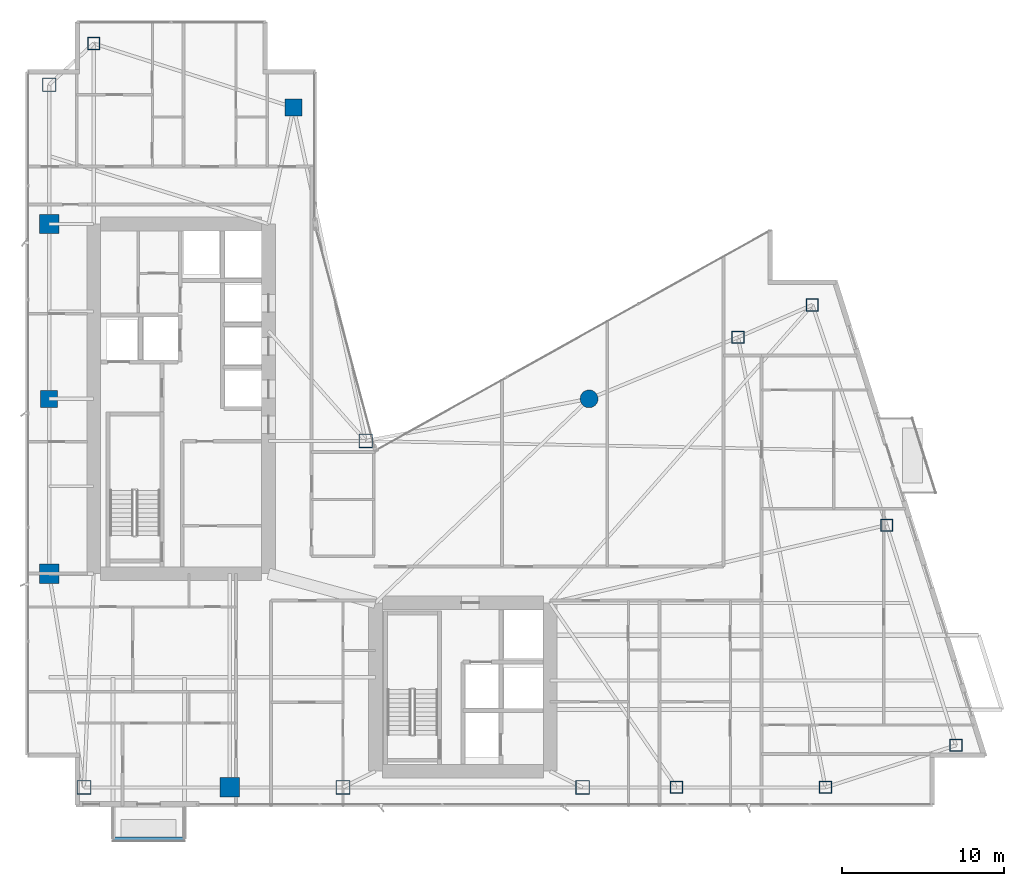
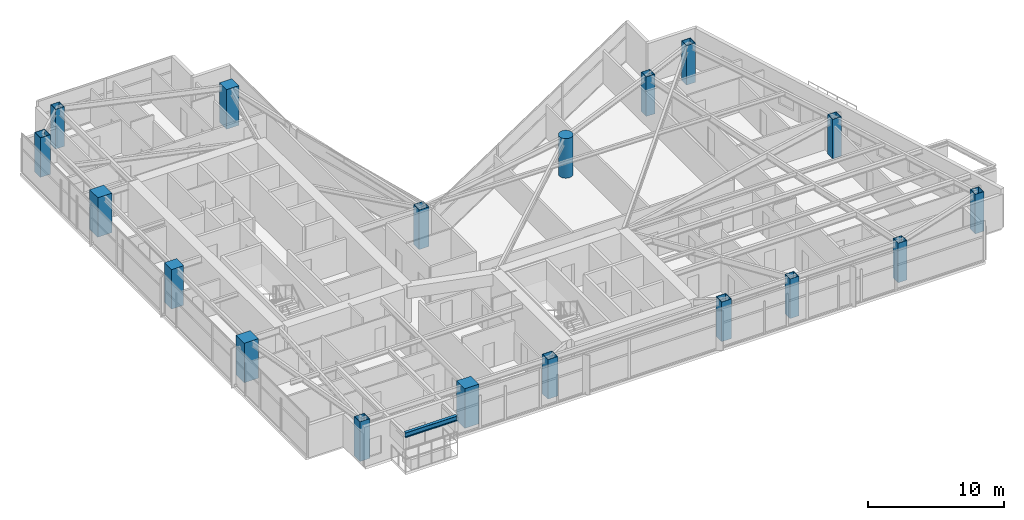
# One storey, part 1 of 29: 18 columns, 1 beam.
"""IFC4 building model written with IfcOpenShell, lengths in metres."""

from ifc_helpers import new_model, si_unit, direction, frame, origin, origin_2d, place, context, subcontext, project, spatial, rectangle, hollow_rectangle, circle, i_section, extrude, material, material_profile, profile_set, type_object, element, save


model = new_model("IFC4")

# Units and contexts
model_context = context("Model", 3, precision=1e-05, world=origin(), true_north=direction((0.0, 1.0)))
body_context = subcontext(model_context, "Body", "Model", "MODEL_VIEW")
ifc_project = project(units=[si_unit("LENGTHUNIT", "METRE"), si_unit("AREAUNIT", "SQUARE_METRE"), si_unit("VOLUMEUNIT", "CUBIC_METRE"), si_unit("PLANEANGLEUNIT", "RADIAN"), si_unit("MASSUNIT", "GRAM", prefix="KILO")], contexts=[model_context])

# Site, building, storey
site_placement = place(None, origin())
site = spatial("IfcSite", under=ifc_project, at=site_placement, CompositionType="ELEMENT")
building_placement = place(site_placement, origin())
building = spatial("IfcBuilding", under=site, at=building_placement, Name="Calvorn Quay Hotel", CompositionType="ELEMENT")
storey_placement = place(building_placement, frame((0.0, 0.0, 163.699951171875)))
storey = spatial("IfcBuildingStorey", under=building, at=storey_placement, Name="L40", CompositionType="ELEMENT", Elevation=163.699951171875)

# Columns
ifc_material_1 = material(Name="Concrete C50", Category="concrete")
ifc_material_profile_1 = material_profile(ifc_material_1, rectangle(XDim=1.050048828125, YDim=1.050048828125, at=origin_2d()), Name="RC1050x1050")
ifc_profile_set_1 = profile_set([ifc_material_profile_1], Name="Concrete C50")
column_type_1 = type_object("IfcColumnType", Name="COL-RC-1050", PredefinedType="COLUMN", material=ifc_profile_set_1)
for number, where, z_axis, x_axis, name in (
    (1, (1.449951171875, 27.60009765625, 0.0), (0.0, 0.0, 1.0), (1.0, 0.0, 0.0), "Column C-W3 (L40)"),
    (2, (16.550048828125, 45.60009765625, 0.0), (0.0, 0.0, 1.0), (1.0, 0.0, 0.0), "Column C-IC1 (L40)"),
):
    element("IfcColumn", number, at=place(storey_placement, frame(where, z_axis=z_axis, x_axis=x_axis)), inside=storey, type_object=column_type_1, Name=name, PredefinedType="COLUMN", context=body_context, shape_type="SweptSolid", body=[
        extrude(rectangle(XDim=1.050048828125, YDim=1.050048828125, at=origin_2d()), origin(), (0.0, 0.0, 1.0), 3.56005859375),
    ])
ifc_material_2 = material(Name="Concrete C50", Category="concrete")
ifc_material_profile_2 = material_profile(ifc_material_2, rectangle(XDim=1.199951171875, YDim=1.199951171875, at=origin_2d()), Name="RC1200x1200")
ifc_profile_set_2 = profile_set([ifc_material_profile_2], Name="Concrete C50")
column_type_2 = type_object("IfcColumnType", Name="COL-RC-1200", PredefinedType="COLUMN", material=ifc_profile_set_2)
for number, where, z_axis, x_axis, name in (
    (3, (1.449951171875, 16.800048828125, 0.0), (0.0, 0.0, 1.0), (1.0, 0.0, 0.0), "Column C-W2 (L40)"),
    (4, (1.449951171875, 38.39990234375, 0.0), (0.0, 0.0, 1.0), (1.0, 0.0, 0.0), "Column C-W4 (L40)"),
    (5, (12.60009765625, 3.60009765625, 0.0), (0.0, 0.0, 1.0), (1.0, 0.0, 0.0), "Column C-S1 (L40)"),
):
    element("IfcColumn", number, at=place(storey_placement, frame(where, z_axis=z_axis, x_axis=x_axis)), inside=storey, type_object=column_type_2, Name=name, PredefinedType="COLUMN", context=body_context, shape_type="SweptSolid", body=[
        extrude(rectangle(XDim=1.199951171875, YDim=1.199951171875, at=origin_2d()), origin(), (0.0, 0.0, 1.0), 3.56005859375),
    ])
ifc_material_3 = material(Name="Concrete C50", Category="concrete")
ifc_material_profile_3 = material_profile(ifc_material_3, circle(Radius=0.550048828125, at=origin_2d()), Name="RCD1100")
ifc_profile_set_3 = profile_set([ifc_material_profile_3], Name="Concrete C50")
column_type_3 = type_object("IfcColumnType", Name="COL-RC-D1100", PredefinedType="COLUMN", material=ifc_profile_set_3)
column_placement = place(storey_placement, frame((34.800048828125, 27.60009765625, 0.0), z_axis=(0.0, 0.0, 1.0), x_axis=(1.0, 0.0, 0.0)))
element("IfcColumn", 6, at=column_placement, inside=storey, type_object=column_type_3, Name="Column C-NC1 (L40)", PredefinedType="COLUMN", context=body_context, shape_type="SweptSolid", body=[
    extrude(circle(Radius=0.550048828125, at=origin_2d()), origin(), (0.0, 0.0, 1.0), 3.56005859375),
])
ifc_material_4 = material(Name="Steel Q390GJC", Category="steel")
ifc_material_profile_4 = material_profile(ifc_material_4, hollow_rectangle(XDim=0.85009765625, YDim=0.85009765625, WallThickness=0.035888671875, at=origin_2d()), Name="BOX850x850x36")
ifc_profile_set_4 = profile_set([ifc_material_profile_4], Name="Steel Q390GJC")
column_type_4 = type_object("IfcColumnType", Name="COL-STL-Z2", PredefinedType="COLUMN", material=ifc_profile_set_4)
for number, where, z_axis, x_axis, name in (
    (7, (3.60009765625, 3.60009765625, 0.0), (0.0, 0.0, 1.0), (1.0, 0.0, 0.0), "Column C-W1 (L40)"),
    (8, (1.449951171875, 47.0, 0.0), (0.0, 0.0, 1.0), (1.0, 0.0, 0.0), "Column C-W5 (L40)"),
    (9, (21.0, 25.0, 0.0), (0.0, 0.0, 1.0), (1.0, 0.0, 0.0), "Column C-IC2 (L40)"),
    (10, (19.60009765625, 3.60009765625, 0.0), (0.0, 0.0, 1.0), (1.0, 0.0, 0.0), "Column C-S2 (L40)"),
    (11, (34.39990234375, 3.60009765625, 0.0), (0.0, 0.0, 1.0), (1.0, 0.0, 0.0), "Column C-S3 (L40)"),
):
    element("IfcColumn", number, at=place(storey_placement, frame(where, z_axis=z_axis, x_axis=x_axis)), inside=storey, type_object=column_type_4, Name=name, PredefinedType="COLUMN", context=body_context, shape_type="SweptSolid", body=[
        extrude(hollow_rectangle(XDim=0.85009765625, YDim=0.85009765625, WallThickness=0.035888671875, at=origin_2d()), origin(), (0.0, 0.0, 1.0), 3.56005859375),
    ])
ifc_material_5 = material(Name="Steel Q390GJC", Category="steel")
ifc_material_profile_5 = material_profile(ifc_material_5, hollow_rectangle(XDim=0.75, YDim=0.75, WallThickness=0.031982421875, at=origin_2d()), Name="BOX750x750x32")
ifc_profile_set_5 = profile_set([ifc_material_profile_5], Name="Steel Q390GJC")
column_type_5 = type_object("IfcColumnType", Name="COL-STL-Z3", PredefinedType="COLUMN", material=ifc_profile_set_5)
for number, where, z_axis, x_axis, name in (
    (12, (4.199951171875, 49.550048828125, 0.0), (0.0, 0.0, 1.0), (1.0, 0.0, 0.0), "Column C-NW1 (L40)"),
    (13, (40.199951171875, 3.60009765625, 0.0), (0.0, 0.0, 1.0), (1.0, 0.0, 0.0), "Column C-S4 (L40)"),
    (14, (49.39990234375, 3.60009765625, 0.0), (0.0, 0.0, 1.0), (1.0, 0.0, 0.0), "Column C-S5 (L40)"),
    (15, (44.0, 31.39990234375, 0.0), (0.0, 0.0, 1.0), (1.0, 0.0, 0.0), "Column C-NC2 (L40)"),
    (16, (57.4609375, 6.199951171875, 0.0), (0.0, 0.0, 1.0), (1.0, 0.0, 0.0), "Column C-ET1 (L40)"),
    (17, (53.176025390625, 19.800048828125, 0.0), (0.0, 0.0, 1.0), (1.0, 0.0, 0.0), "Column C-ET2 (L40)"),
    (18, (48.591064453125, 33.39990234375, 0.0), (0.0, 0.0, 1.0), (1.0, 0.0, 0.0), "Column C-ET3 (L40)"),
):
    element("IfcColumn", number, at=place(storey_placement, frame(where, z_axis=z_axis, x_axis=x_axis)), inside=storey, type_object=column_type_5, Name=name, PredefinedType="COLUMN", context=body_context, shape_type="SweptSolid", body=[
        extrude(hollow_rectangle(XDim=0.75, YDim=0.75, WallThickness=0.031982421875, at=origin_2d()), origin(), (0.0, 0.0, 1.0), 3.56005859375),
    ])

# Beam
ifc_material_6 = material(Name="Steel Q355B", Category="steel")
ifc_material_profile_6 = material_profile(ifc_material_6, i_section(OverallWidth=0.25, OverallDepth=0.449951171875, WebThickness=0.011962890625, FlangeThickness=0.01611328125, FilletRadius=0.01611328125, at=origin_2d()), Name="HN450x250x12x16")
ifc_profile_set_6 = profile_set([ifc_material_profile_6], Name="Steel Q355B")
beam_type = type_object("IfcBeamType", Name="BM-CANT-BALC", PredefinedType="BEAM", material=ifc_profile_set_6)
beam_placement = place(storey_placement, frame((5.39990234375, 0.409912109375, 3.31494140625), z_axis=(1.0, 0.0, 0.0), x_axis=(0.0, 1.0, 0.0)))
element("IfcBeam", 19, at=beam_placement, inside=storey, type_object=beam_type, Name="Beam BCBO-L41-2", PredefinedType="BEAM", context=body_context, shape_type="SweptSolid", body=[
    extrude(i_section(OverallWidth=0.25, OverallDepth=0.449951171875, WebThickness=0.011962890625, FlangeThickness=0.01611328125, FilletRadius=0.01611328125, at=origin_2d()), origin(), (0.0, 0.0, 1.0), 4.400146484375),
])

save(model, "model.ifc")
